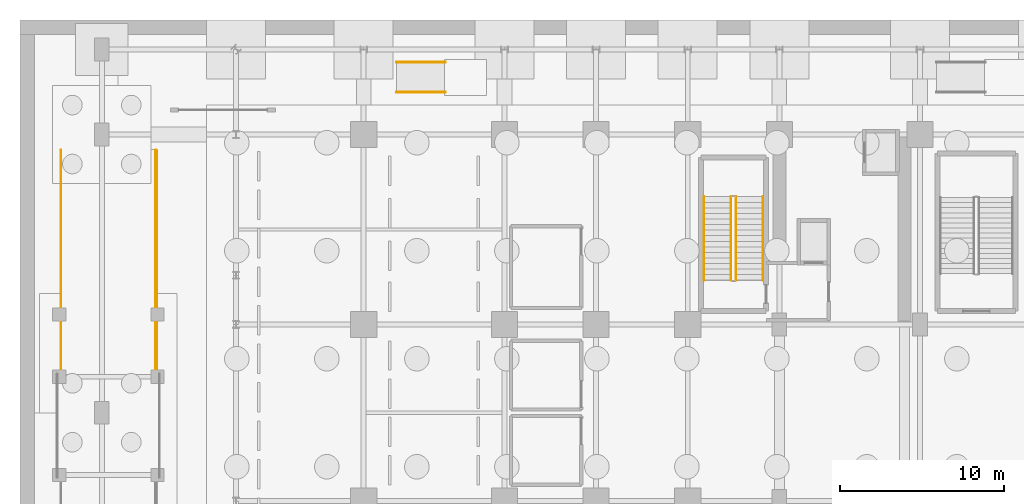
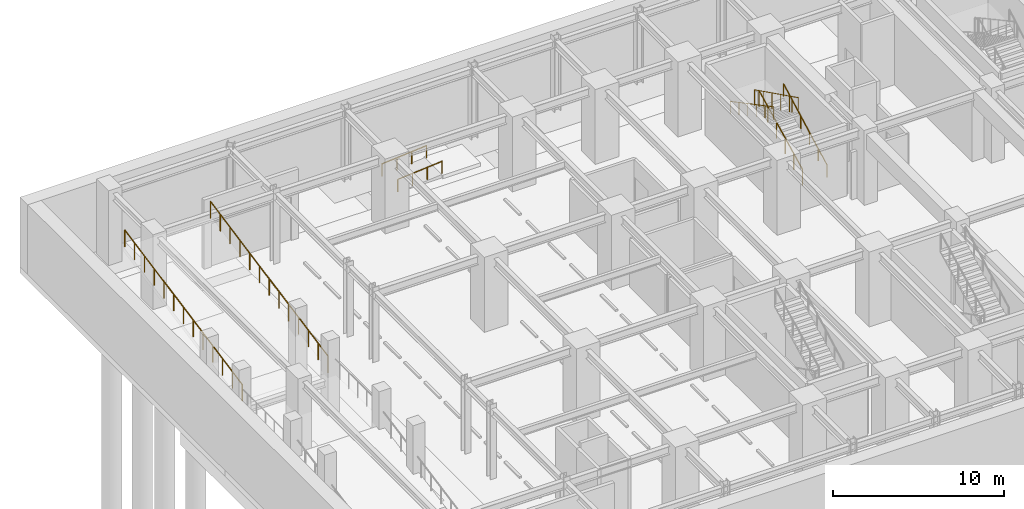
# One storey, part 12 of 14: 8 railings.
"""IFC4 building model written with IfcOpenShell, lengths in metres."""

from ifc_helpers import new_model, si_unit, direction, frame, origin, origin_2d, place, context, subcontext, project, spatial, circle, extrude, material, type_object, element, save


model = new_model("IFC4")

# Units and contexts
model_context = context("Model", 3, precision=1e-05, world=origin(), true_north=direction((0.0, 1.0)))
body_context = subcontext(model_context, "Body", "Model", "MODEL_VIEW")
ifc_project = project(units=[si_unit("LENGTHUNIT", "METRE"), si_unit("AREAUNIT", "SQUARE_METRE"), si_unit("VOLUMEUNIT", "CUBIC_METRE"), si_unit("PLANEANGLEUNIT", "RADIAN"), si_unit("MASSUNIT", "GRAM", prefix="KILO")], contexts=[model_context])

# Site, building, storey
site_placement = place(None, origin())
site = spatial("IfcSite", under=ifc_project, at=site_placement, CompositionType="ELEMENT")
building_placement = place(site_placement, origin())
building = spatial("IfcBuilding", under=site, at=building_placement, Name="Nahalor Promenade Grand Hotel", CompositionType="ELEMENT")
storey_placement = place(building_placement, frame((0.0, 0.0, -10.800048828125)))
storey = spatial("IfcBuildingStorey", under=building, at=storey_placement, Name="B02", CompositionType="ELEMENT", Elevation=-10.800048828125)

# Railings
ifc_material = material(Name="Steel S355JR", Category="steel")
railing_type_1 = type_object("IfcRailingType", Name="Steel Ramp Guardrail 1200 mm", PredefinedType="GUARDRAIL", material=ifc_material)
railing_1_placement = place(storey_placement, frame((-35.5, 2.300048828125, 2.699951171875)))
element("IfcRailing", 1, at=railing_1_placement, inside=storey, type_object=railing_type_1, Name="RL-RAMP-B02-2W", PredefinedType="GUARDRAIL", context=body_context, shape_type="SweptSolid", body=[
    extrude(circle(Radius=0.024048, at=origin_2d()), frame((0.0, 0.0, 1.17578125), z_axis=(0.0, 0.981258234248, 0.192697373416), x_axis=(-1.0, 0.0, 0.0)), (0.0, 0.0, 1.0), 14.0126953125),
    extrude(circle(Radius=0.020996, at=origin_2d()), origin(), (0.0, 0.0, 1.0), 1.14990234375),
    extrude(circle(Radius=0.020996, at=origin_2d()), frame((0.0, 1.145751953125, 0.22509765625)), (0.0, 0.0, 1.0), 1.14990234375),
    extrude(circle(Radius=0.020996, at=origin_2d()), frame((0.0, 2.291748046875, 0.449951171875)), (0.0, 0.0, 1.0), 1.14990234375),
    extrude(circle(Radius=0.020996, at=origin_2d()), frame((0.0, 3.4375, 0.675048828125)), (0.0, 0.0, 1.0), 1.14990234375),
    extrude(circle(Radius=0.020996, at=origin_2d()), frame((0.0, 4.583251953125, 0.900146484375)), (0.0, 0.0, 1.0), 1.14990234375),
    extrude(circle(Radius=0.020996, at=origin_2d()), frame((0.0, 5.729248046875, 1.125)), (0.0, 0.0, 1.0), 1.14990234375),
    extrude(circle(Radius=0.020996, at=origin_2d()), frame((0.0, 6.875, 1.35009765625)), (0.0, 0.0, 1.0), 1.14990234375),
    extrude(circle(Radius=0.020996, at=origin_2d()), frame((0.0, 8.020751953125, 1.5751953125)), (0.0, 0.0, 1.0), 1.14990234375),
    extrude(circle(Radius=0.020996, at=origin_2d()), frame((0.0, 9.166748046875, 1.800048828125)), (0.0, 0.0, 1.0), 1.14990234375),
    extrude(circle(Radius=0.020996, at=origin_2d()), frame((0.0, 10.3125, 2.025146484375)), (0.0, 0.0, 1.0), 1.14990234375),
    extrude(circle(Radius=0.020996, at=origin_2d()), frame((0.0, 11.458251953125, 2.250244140625)), (0.0, 0.0, 1.0), 1.14990234375),
    extrude(circle(Radius=0.020996, at=origin_2d()), frame((0.0, 12.604248046875, 2.47509765625)), (0.0, 0.0, 1.0), 1.14990234375),
    extrude(circle(Radius=0.020996, at=origin_2d()), frame((0.0, 13.75, 2.7001953125)), (0.0, 0.0, 1.0), 1.14990234375),
])
railing_2_placement = place(storey_placement, frame((-29.699951171875, 2.300048828125, 2.699951171875)))
element("IfcRailing", 2, at=railing_2_placement, inside=storey, type_object=railing_type_1, Name="RL-RAMP-B02-2E", PredefinedType="GUARDRAIL", context=body_context, shape_type="SweptSolid", body=[
    extrude(circle(Radius=0.024048, at=origin_2d()), frame((0.0, 0.0, 1.17578125), z_axis=(0.0, 0.981258234248, 0.192697373416), x_axis=(-1.0, 0.0, 0.0)), (0.0, 0.0, 1.0), 14.0126953125),
    extrude(circle(Radius=0.020996, at=origin_2d()), origin(), (0.0, 0.0, 1.0), 1.14990234375),
    extrude(circle(Radius=0.020996, at=origin_2d()), frame((0.0, 1.145751953125, 0.22509765625)), (0.0, 0.0, 1.0), 1.14990234375),
    extrude(circle(Radius=0.020996, at=origin_2d()), frame((0.0, 2.291748046875, 0.449951171875)), (0.0, 0.0, 1.0), 1.14990234375),
    extrude(circle(Radius=0.020996, at=origin_2d()), frame((0.0, 3.4375, 0.675048828125)), (0.0, 0.0, 1.0), 1.14990234375),
    extrude(circle(Radius=0.020996, at=origin_2d()), frame((0.0, 4.583251953125, 0.900146484375)), (0.0, 0.0, 1.0), 1.14990234375),
    extrude(circle(Radius=0.020996, at=origin_2d()), frame((0.0, 5.729248046875, 1.125)), (0.0, 0.0, 1.0), 1.14990234375),
    extrude(circle(Radius=0.020996, at=origin_2d()), frame((0.0, 6.875, 1.35009765625)), (0.0, 0.0, 1.0), 1.14990234375),
    extrude(circle(Radius=0.020996, at=origin_2d()), frame((0.0, 8.020751953125, 1.5751953125)), (0.0, 0.0, 1.0), 1.14990234375),
    extrude(circle(Radius=0.020996, at=origin_2d()), frame((0.0, 9.166748046875, 1.800048828125)), (0.0, 0.0, 1.0), 1.14990234375),
    extrude(circle(Radius=0.020996, at=origin_2d()), frame((0.0, 10.3125, 2.025146484375)), (0.0, 0.0, 1.0), 1.14990234375),
    extrude(circle(Radius=0.020996, at=origin_2d()), frame((0.0, 11.458251953125, 2.250244140625)), (0.0, 0.0, 1.0), 1.14990234375),
    extrude(circle(Radius=0.020996, at=origin_2d()), frame((0.0, 12.604248046875, 2.47509765625)), (0.0, 0.0, 1.0), 1.14990234375),
    extrude(circle(Radius=0.020996, at=origin_2d()), frame((0.0, 13.75, 2.7001953125)), (0.0, 0.0, 1.0), 1.14990234375),
])
railing_type_2 = type_object("IfcRailingType", Name="Steel Stair Guardrail 1150 mm", PredefinedType="GUARDRAIL", material=ifc_material)
railing_3_placement = place(storey_placement, frame((5.75, 8.10009765625, 0.168701171875)))
element("IfcRailing", 3, at=railing_3_placement, inside=storey, type_object=railing_type_2, Name="B02 ST1 stair guard 1", PredefinedType="GUARDRAIL", context=body_context, shape_type="SweptSolid", body=[
    extrude(circle(Radius=0.024048, at=origin_2d()), frame((0.0, 0.0, 1.1259765625), z_axis=(0.0, 0.895735491292, 0.444587370086), x_axis=(-1.0, 0.0, 0.0)), (0.0, 0.0, 1.0), 5.693603515625),
    extrude(circle(Radius=0.020996, at=origin_2d()), origin(), (0.0, 0.0, 1.0), 1.099853515625),
    extrude(circle(Radius=0.020996, at=origin_2d()), frame((0.0, 1.02001953125, 0.50634765625)), (0.0, 0.0, 1.0), 1.099853515625),
    extrude(circle(Radius=0.020996, at=origin_2d()), frame((0.0, 2.0400390625, 1.012451171875)), (0.0, 0.0, 1.0), 1.099853515625),
    extrude(circle(Radius=0.020996, at=origin_2d()), frame((0.0, 3.059814453125, 1.518798828125)), (0.0, 0.0, 1.0), 1.099853515625),
    extrude(circle(Radius=0.020996, at=origin_2d()), frame((0.0, 4.079833984375, 2.02490234375)), (0.0, 0.0, 1.0), 1.099853515625),
    extrude(circle(Radius=0.020996, at=origin_2d()), frame((0.0, 5.099853515625, 2.53125)), (0.0, 0.0, 1.0), 1.099853515625),
])
railing_4_placement = place(storey_placement, frame((5.449951171875, 13.199951171875, 2.868896484375)))
element("IfcRailing", 4, at=railing_4_placement, inside=storey, type_object=railing_type_2, Name="B02 ST1 stair guard 3", PredefinedType="GUARDRAIL", context=body_context, shape_type="SweptSolid", body=[
    extrude(circle(Radius=0.024048, at=origin_2d()), frame((0.0, 0.0, 1.1259765625), z_axis=(0.0, -0.895735491292, 0.444587370086), x_axis=(1.0, 0.0, 0.0)), (0.0, 0.0, 1.0), 5.693603515625),
    extrude(circle(Radius=0.020996, at=origin_2d()), origin(), (0.0, 0.0, 1.0), 1.099853515625),
    extrude(circle(Radius=0.020996, at=origin_2d()), frame((0.0, -1.02001953125, 0.50634765625)), (0.0, 0.0, 1.0), 1.099853515625),
    extrude(circle(Radius=0.020996, at=origin_2d()), frame((0.0, -2.0400390625, 1.012451171875)), (0.0, 0.0, 1.0), 1.099853515625),
    extrude(circle(Radius=0.020996, at=origin_2d()), frame((0.0, -3.059814453125, 1.518798828125)), (0.0, 0.0, 1.0), 1.099853515625),
    extrude(circle(Radius=0.020996, at=origin_2d()), frame((0.0, -4.079833984375, 2.02490234375)), (0.0, 0.0, 1.0), 1.099853515625),
    extrude(circle(Radius=0.020996, at=origin_2d()), frame((0.0, -5.099853515625, 2.53125)), (0.0, 0.0, 1.0), 1.099853515625),
])
railing_type_3 = type_object("IfcRailingType", Name="Steel Stair Handrail 900 mm", PredefinedType="HANDRAIL", material=ifc_material)
railing_5_placement = place(storey_placement, frame((7.39990234375, 8.10009765625, 0.168701171875)))
element("IfcRailing", 5, at=railing_5_placement, inside=storey, type_object=railing_type_3, Name="B02 ST1 stair handrail 1", PredefinedType="HANDRAIL", context=body_context, shape_type="SweptSolid", body=[
    extrude(circle(Radius=0.024048, at=origin_2d()), frame((0.0, 0.0, 0.8759765625), z_axis=(0.0, 0.883768362495, 0.467924653607), x_axis=(-1.0, 0.0, 0.0)), (0.0, 0.0, 1.0), 5.7705078125),
    extrude(circle(Radius=0.020996, at=origin_2d()), origin(), (0.0, 0.0, 1.0), 0.849853515625),
    extrude(circle(Radius=0.020996, at=origin_2d()), frame((0.0, 1.02001953125, 0.5400390625)), (0.0, 0.0, 1.0), 0.849853515625),
    extrude(circle(Radius=0.020996, at=origin_2d()), frame((0.0, 2.0400390625, 1.080078125)), (0.0, 0.0, 1.0), 0.849853515625),
    extrude(circle(Radius=0.020996, at=origin_2d()), frame((0.0, 3.059814453125, 1.6201171875)), (0.0, 0.0, 1.0), 0.849853515625),
    extrude(circle(Radius=0.020996, at=origin_2d()), frame((0.0, 4.079833984375, 2.16015625)), (0.0, 0.0, 1.0), 0.849853515625),
    extrude(circle(Radius=0.020996, at=origin_2d()), frame((0.0, 5.099853515625, 2.7001953125)), (0.0, 0.0, 1.0), 0.849853515625),
])
railing_6_placement = place(storey_placement, frame((3.800048828125, 13.199951171875, 2.868896484375)))
element("IfcRailing", 6, at=railing_6_placement, inside=storey, type_object=railing_type_3, Name="B02 ST1 stair handrail 2", PredefinedType="HANDRAIL", context=body_context, shape_type="SweptSolid", body=[
    extrude(circle(Radius=0.024048, at=origin_2d()), frame((0.0, 0.0, 0.8759765625), z_axis=(0.0, -0.883785858079, 0.467891608238), x_axis=(1.0, 0.0, 0.0)), (0.0, 0.0, 1.0), 5.7705078125),
    extrude(circle(Radius=0.020996, at=origin_2d()), origin(), (0.0, 0.0, 1.0), 0.849853515625),
    extrude(circle(Radius=0.020996, at=origin_2d()), frame((0.0, -1.02001953125, 0.5400390625)), (0.0, 0.0, 1.0), 0.849853515625),
    extrude(circle(Radius=0.020996, at=origin_2d()), frame((0.0, -2.0400390625, 1.080078125)), (0.0, 0.0, 1.0), 0.849853515625),
    extrude(circle(Radius=0.020996, at=origin_2d()), frame((0.0, -3.059814453125, 1.619873046875)), (0.0, 0.0, 1.0), 0.849853515625),
    extrude(circle(Radius=0.020996, at=origin_2d()), frame((0.0, -4.079833984375, 2.159912109375)), (0.0, 0.0, 1.0), 0.849853515625),
    extrude(circle(Radius=0.020996, at=origin_2d()), frame((0.0, -5.099853515625, 2.699951171875)), (0.0, 0.0, 1.0), 0.849853515625),
])
for number, where, name in (
    (7, (-15.0, 19.580078125, 0.0), "RL-PED-3-L"),
    (8, (-15.0, 21.419921875, 0.0), "RL-PED-3-R"),
):
    element("IfcRailing", number, at=place(storey_placement, frame(where)), inside=storey, type_object=railing_type_3, Name=name, PredefinedType="HANDRAIL", context=body_context, shape_type="SweptSolid", body=[
        extrude(circle(Radius=0.024048, at=origin_2d()), frame((0.0, 0.0, 0.8759765625), z_axis=(0.996545758245, 0.0, 0.083045479854), x_axis=(0.0, 1.0, 0.0)), (0.0, 0.0, 1.0), 3.010498046875),
        extrude(circle(Radius=0.020996, at=origin_2d()), origin(), (0.0, 0.0, 1.0), 0.849853515625),
        extrude(circle(Radius=0.020996, at=origin_2d()), frame((1.0, 0.0, 0.083251953125)), (0.0, 0.0, 1.0), 0.849853515625),
        extrude(circle(Radius=0.020996, at=origin_2d()), frame((2.0, 0.0, 0.166748046875)), (0.0, 0.0, 1.0), 0.849853515625),
        extrude(circle(Radius=0.020996, at=origin_2d()), frame((3.0, 0.0, 0.25)), (0.0, 0.0, 1.0), 0.849853515625),
    ])

save(model, "model.ifc")
